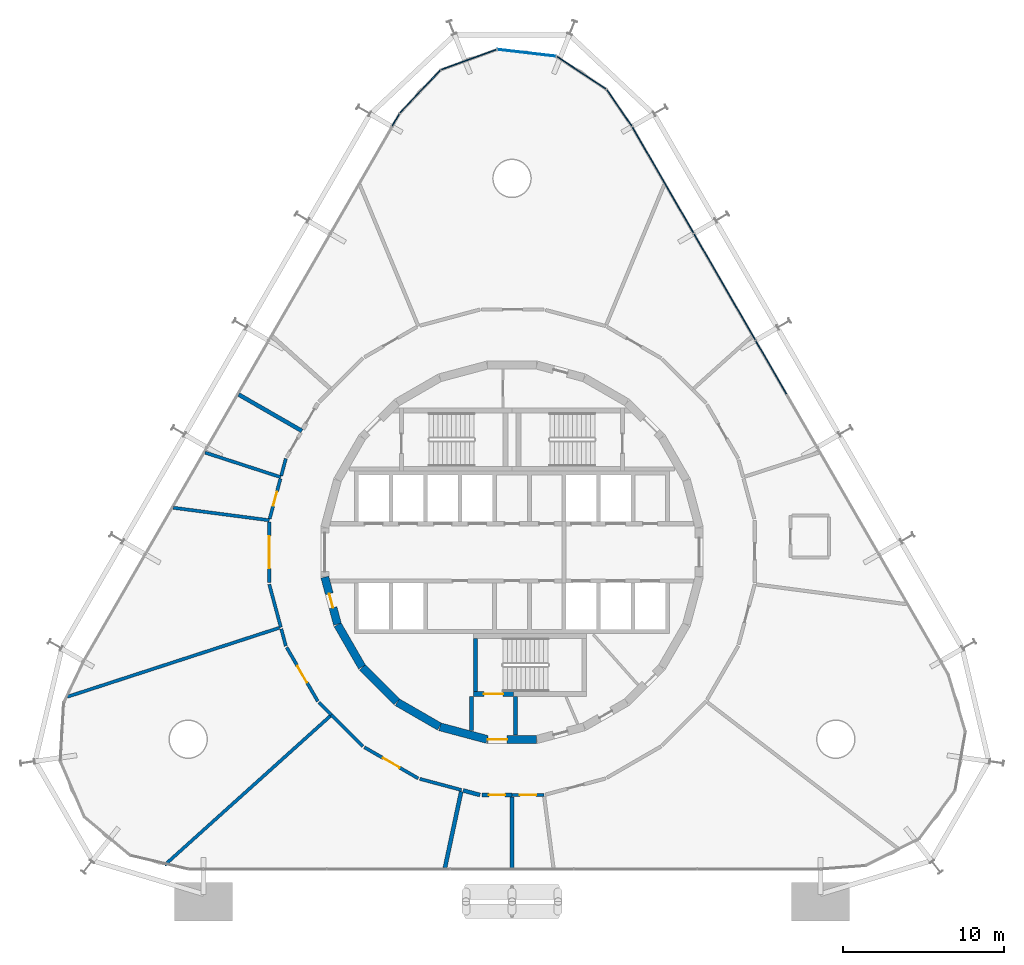
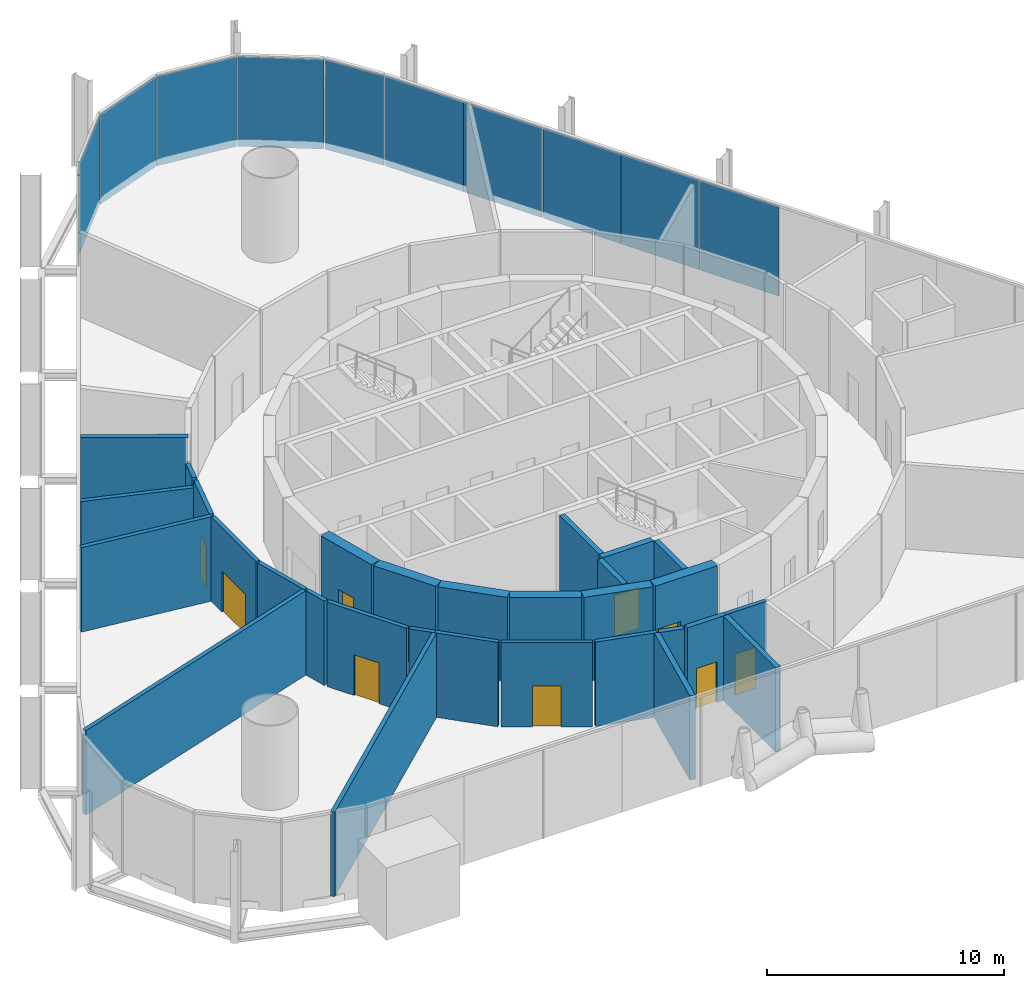
# One storey, part 13 of 17: 30 walls, 11 plates, 9 doors, 9 openings, 2 elements without a shape of their own.
"""IFC4 building model written with IfcOpenShell, lengths in metres."""

from ifc_helpers import new_model, si_unit, direction, frame, frame_2d, origin, origin_2d, place, context, subcontext, project, spatial, rectangle, extrude, material, layer, layer_set, type_object, element, fill, aggregate, save


model = new_model("IFC4")

# Units and contexts
model_context = context("Model", 3, precision=1e-05, world=origin(), true_north=direction((0.0, 1.0)))
body_context = subcontext(model_context, "Body", "Model", "MODEL_VIEW")
ifc_project = project(units=[si_unit("LENGTHUNIT", "METRE"), si_unit("AREAUNIT", "SQUARE_METRE"), si_unit("VOLUMEUNIT", "CUBIC_METRE"), si_unit("PLANEANGLEUNIT", "RADIAN"), si_unit("MASSUNIT", "GRAM", prefix="KILO")], contexts=[model_context])

# Site, building, storey
site_placement = place(None, origin())
site = spatial("IfcSite", under=ifc_project, at=site_placement, CompositionType="ELEMENT")
building_placement = place(site_placement, origin())
building = spatial("IfcBuilding", under=site, at=building_placement, Name="Spindle Arch Residences", CompositionType="ELEMENT")
storey_placement = place(building_placement, frame((0.0, 0.0, 28.199951171875)))
storey = spatial("IfcBuildingStorey", under=building, at=storey_placement, Name="L05", CompositionType="ELEMENT", Elevation=28.199951171875)

# Curtain wall, plates
ifc_material_1 = material(Name="Aluminium bronze unitised frame with tinted glass", Category="aluminium")
ifc_layer_1 = layer(ifc_material_1, 0.159912109375)
ifc_layer_set_1 = layer_set([ifc_layer_1], Name="CW-B amenity podium glazed wall")
curtain_wall_type_1 = type_object("IfcCurtainWallType", Name="CW-B amenity podium glazed wall", PredefinedType="NOTDEFINED", material=ifc_layer_set_1)
curtain_wall_1_placement = place(storey_placement, origin())
curtain_wall_1 = element("IfcCurtainWall", 1, at=curtain_wall_1_placement, inside=storey, type_object=curtain_wall_type_1, Name="CW-B L05 run 2", PredefinedType="NOTDEFINED")
ifc_material_2 = material(Name="Tinted double glazing over aluminium faced non-combustible spandrel zone (K0)", Category="aluminium")
ifc_layer_2 = layer(ifc_material_2, 0.06005859375)
ifc_layer_set_2 = layer_set([ifc_layer_2], Name="Unitised glass panel with E 60 spandrel zone")
plate_type = type_object("IfcPlateType", Name="Unitised glass panel with E 60 spandrel zone", PredefinedType="CURTAIN_PANEL", material=ifc_layer_set_2)
plate_1_placement = place(storey_placement, frame((16.11669921875, 11.504638671875, -0.3798828125), z_axis=(0.0, 0.0, 1.0), x_axis=(-0.5, 0.866025403784, 0.0)))
plate_1 = element("IfcPlate", 2, at=plate_1_placement, type_object=plate_type, Name="CW-B unit 07B", PredefinedType="CURTAIN_PANEL", context=body_context, shape_type="SweptSolid", body=[
    extrude(rectangle(XDim=3.81005859375, YDim=0.06005859375, at=origin_2d()), origin(), (0.0, 0.0, 1.0), 4.610107421875),
])
plate_2_placement = place(storey_placement, frame((14.181640625, 14.856201171875, -0.3798828125), z_axis=(0.0, 0.0, 1.0), x_axis=(-0.5, 0.866025403784, 0.0)))
plate_2 = element("IfcPlate", 3, at=plate_2_placement, type_object=plate_type, Name="CW-B unit 08A", PredefinedType="CURTAIN_PANEL", context=body_context, shape_type="SweptSolid", body=[
    extrude(rectangle(XDim=3.81005859375, YDim=0.06005859375, at=origin_2d()), origin(), (0.0, 0.0, 1.0), 4.610107421875),
])
plate_3_placement = place(storey_placement, frame((12.27685546875, 18.156005859375, -0.3798828125), z_axis=(0.0, 0.0, 1.0), x_axis=(-0.5, 0.866025403784, 0.0)))
plate_3 = element("IfcPlate", 4, at=plate_3_placement, type_object=plate_type, Name="CW-B unit 08B", PredefinedType="CURTAIN_PANEL", context=body_context, shape_type="SweptSolid", body=[
    extrude(rectangle(XDim=3.81005859375, YDim=0.06005859375, at=origin_2d()), origin(), (0.0, 0.0, 1.0), 4.610107421875),
])
plate_4_placement = place(storey_placement, frame((10.341796875, 21.50732421875, -0.3798828125), z_axis=(0.0, 0.0, 1.0), x_axis=(-0.5, 0.866025403784, 0.0)))
plate_4 = element("IfcPlate", 5, at=plate_4_placement, type_object=plate_type, Name="CW-B unit 09A", PredefinedType="CURTAIN_PANEL", context=body_context, shape_type="SweptSolid", body=[
    extrude(rectangle(XDim=3.81005859375, YDim=0.06005859375, at=origin_2d()), origin(), (0.0, 0.0, 1.0), 4.610107421875),
])
plate_5_placement = place(storey_placement, frame((8.436767578125, 24.80712890625, -0.3798828125), z_axis=(0.0, 0.0, 1.0), x_axis=(-0.5, 0.866025403784, 0.0)))
plate_5 = element("IfcPlate", 6, at=plate_5_placement, type_object=plate_type, Name="CW-B unit 09B", PredefinedType="CURTAIN_PANEL", context=body_context, shape_type="SweptSolid", body=[
    extrude(rectangle(XDim=3.81005859375, YDim=0.06005859375, at=origin_2d()), origin(), (0.0, 0.0, 1.0), 4.610107421875),
])
aggregate(curtain_wall_1, [plate_1, plate_2, plate_3, plate_4, plate_5])

ifc_material_3 = material(Name="Aluminium bronze unitised frame with tinted glass", Category="aluminium")
ifc_layer_3 = layer(ifc_material_3, 0.159912109375)
ifc_layer_set_3 = layer_set([ifc_layer_3], Name="CW-D corner wall on the fillet arcs")
curtain_wall_type_2 = type_object("IfcCurtainWallType", Name="CW-D corner wall on the fillet arcs", PredefinedType="NOTDEFINED", material=ifc_layer_set_3)
curtain_wall_2_placement = place(storey_placement, origin())
curtain_wall_2 = element("IfcCurtainWall", 7, at=curtain_wall_2_placement, inside=storey, type_object=curtain_wall_type_2, Name="CW-D L05 run 3", PredefinedType="NOTDEFINED")
plate_6_placement = place(storey_placement, frame((6.673095703125, 27.643798828125, -0.3798828125), z_axis=(0.0, 0.0, 1.0), x_axis=(-0.565500718711, 0.824747802142, 0.0)))
plate_6 = element("IfcPlate", 8, at=plate_6_placement, type_object=plate_type, Name="CW-D unit 00", PredefinedType="CURTAIN_PANEL", context=body_context, shape_type="SweptSolid", body=[
    extrude(rectangle(XDim=2.755126953125, YDim=0.06005859375, at=origin_2d()), origin(), (0.0, 0.0, 1.0), 4.610107421875),
])
plate_7_placement = place(storey_placement, frame((4.3203125, 29.82861328125, -0.3798828125), z_axis=(0.0, 0.0, 1.0), x_axis=(-0.835487811704, 0.549508977628, 0.0)))
plate_7 = element("IfcPlate", 9, at=plate_7_placement, type_object=plate_type, Name="CW-D unit 01", PredefinedType="CURTAIN_PANEL", context=body_context, shape_type="SweptSolid", body=[
    extrude(rectangle(XDim=3.666748046875, YDim=0.06005859375, at=origin_2d()), origin(), (0.0, 0.0, 1.0), 4.610107421875),
])
plate_8_placement = place(storey_placement, frame((0.912841796875, 31.06884765625, -0.3798828125), z_axis=(0.0, 0.0, 1.0), x_axis=(-0.993238357591, 0.116092915414, 0.0)))
plate_8 = element("IfcPlate", 10, at=plate_8_placement, type_object=plate_type, Name="CW-D unit 02", PredefinedType="CURTAIN_PANEL", context=body_context, shape_type="SweptSolid", body=[
    extrude(rectangle(XDim=3.666748046875, YDim=0.06005859375, at=origin_2d()), origin(), (0.0, 0.0, 1.0), 4.610107421875),
])
plate_9_placement = place(storey_placement, frame((-2.68896484375, 30.64794921875, -0.3798828125), z_axis=(0.0, 0.0, 1.0), x_axis=(-0.939692621437, -0.342020141538, 0.0)))
plate_9 = element("IfcPlate", 11, at=plate_9_placement, type_object=plate_type, Name="CW-D unit 03", PredefinedType="CURTAIN_PANEL", context=body_context, shape_type="SweptSolid", body=[
    extrude(rectangle(XDim=3.666748046875, YDim=0.06005859375, at=origin_2d()), origin(), (0.0, 0.0, 1.0), 4.610107421875),
])
plate_10_placement = place(storey_placement, frame((-5.71875, 28.6552734375, -0.3798828125), z_axis=(0.0, 0.0, 1.0), x_axis=(-0.686241639236, -0.727373640284, 0.0)))
plate_10 = element("IfcPlate", 12, at=plate_10_placement, type_object=plate_type, Name="CW-D unit 04", PredefinedType="CURTAIN_PANEL", context=body_context, shape_type="SweptSolid", body=[
    extrude(rectangle(XDim=3.666748046875, YDim=0.06005859375, at=origin_2d()), origin(), (0.0, 0.0, 1.0), 4.610107421875),
])
plate_11_placement = place(storey_placement, frame((-7.2333984375, 26.891357421875, -0.3798828125), z_axis=(0.0, 0.0, 1.0), x_axis=(-0.5, -0.866025403784, 0.0)))
plate_11 = element("IfcPlate", 13, at=plate_11_placement, type_object=plate_type, Name="CW-D unit 05", PredefinedType="CURTAIN_PANEL", context=body_context, shape_type="SweptSolid", body=[
    extrude(rectangle(XDim=0.88330078125, YDim=0.06005859375, at=origin_2d()), origin(), (0.0, 0.0, 1.0), 4.610107421875),
])
aggregate(curtain_wall_2, [plate_6, plate_7, plate_8, plate_9, plate_10, plate_11])

# Wall, opening, door
ifc_material_4 = material(Name="Concrete C50/60", Category="concrete")
ifc_layer_4 = layer(ifc_material_4, 0.5)
ifc_layer_set_4 = layer_set([ifc_layer_4], Name="Core outline wall 500")
wall_type_1 = type_object("IfcWallType", Name="Core outline wall 500", PredefinedType="SHEAR", material=ifc_layer_set_4)
wall_1_placement = place(storey_placement, frame((-11.642822265625, -1.5498046875, 0.0), z_axis=(0.0, 0.0, 1.0), x_axis=(0.258734743916, -0.965948410781, 0.0)))
wall_1 = element("IfcWall", 14, at=wall_1_placement, inside=storey, type_object=wall_type_1, Name="Core outline wall 19", PredefinedType="SHEAR", context=body_context, shape_type="SweptSolid", body=[
    extrude(rectangle(XDim=3.03271484375, YDim=0.5, at=frame_2d((1.516357421875, 0.0))), origin(), (0.0, 0.0, 1.0), 4.35009765625),
])
opening_1_placement = place(wall_1_placement, frame((1.06640625, 0.0, 0.0)))
opening_1 = element("IfcOpeningElement", 15, at=opening_1_placement, cuts=wall_1, Name="Opening L05-WD11", PredefinedType="OPENING", context=body_context, shape_type="SweptSolid", body=[
    extrude(rectangle(XDim=0.89990234375, YDim=2.10009765625, at=frame_2d((0.449951171875, 1.050048828125))), frame((0.0, 0.260009765625, 0.0), z_axis=(0.0, -1.0, 0.0), x_axis=(1.0, 0.0, 0.0)), (0.0, 0.0, 1.0), 0.52001953125),
])
ifc_material_5 = material(Name="Steel, fire-resisting door", Category="steel")
door_type_1 = type_object("IfcDoorType", Name="Service room door 900x2100", OperationType="SINGLE_SWING_LEFT", PredefinedType="DOOR", material=ifc_material_5)
door_1_placement = place(opening_1_placement, origin())
door_1 = element("IfcDoor", 16, at=door_1_placement, inside=storey, type_object=door_type_1, Name="Service room door L05-WD11", OperationType="SINGLE_SWING_RIGHT", OverallHeight=2.10009765625, OverallWidth=0.89990234375, PredefinedType="DOOR", context=body_context, shape_type="SweptSolid", body=[
    extrude(rectangle(XDim=0.89990234375, YDim=2.10009765625, at=frame_2d((0.449951171875, 1.050048828125))), frame((0.0, 0.02490234375, 0.0), z_axis=(0.0, -1.0, 0.0), x_axis=(1.0, 0.0, 0.0)), (0.0, 0.0, 1.0), 0.050048828125),
])
fill(opening_1, door_1)

# Walls
wall_2_placement = place(storey_placement, frame((-10.84521484375, -4.510498046875, 0.0), z_axis=(0.0, 0.0, 1.0), x_axis=(0.500087131594, -0.865975092491, 0.0)))
element("IfcWall", 17, at=wall_2_placement, inside=storey, type_object=wall_type_1, Name="Core outline wall 20", PredefinedType="SHEAR", context=body_context, shape_type="SweptSolid", body=[
    extrude(rectangle(XDim=3.03271484375, YDim=0.5, at=frame_2d((1.516357421875, 0.0))), origin(), (0.0, 0.0, 1.0), 4.35009765625),
])
wall_3_placement = place(storey_placement, frame((-9.30810546875, -7.163818359375, 0.0), z_axis=(0.0, 0.0, 1.0), x_axis=(0.707106781187, -0.707106781187, 0.0)))
element("IfcWall", 18, at=wall_3_placement, inside=storey, type_object=wall_type_1, Name="Core outline wall 21", PredefinedType="SHEAR", context=body_context, shape_type="SweptSolid", body=[
    extrude(rectangle(XDim=3.032470703125, YDim=0.5, at=frame_2d((1.51611328125, 0.0))), origin(), (0.0, 0.0, 1.0), 4.35009765625),
])
for number, where, z_axis, x_axis, name in (
    (19, (-7.13671875, -9.32861328125, 0.0), (0.0, 0.0, 1.0), (0.865975092491, -0.500087131594, 0.0), "Core outline wall 22"),
    (20, (-4.479248046875, -10.858154296875, 0.0), (0.0, 0.0, 1.0), (0.965948410781, -0.258734743916, 0.0), "Core outline wall 23"),
):
    element("IfcWall", number, at=place(storey_placement, frame(where, z_axis=z_axis, x_axis=x_axis)), inside=storey, type_object=wall_type_1, Name=name, PredefinedType="SHEAR", context=body_context, shape_type="SweptSolid", body=[
        extrude(rectangle(XDim=3.03271484375, YDim=0.5, at=frame_2d((1.516357421875, 0.0))), origin(), (0.0, 0.0, 1.0), 4.35009765625),
    ])

# Wall, opening, door
wall_4_placement = place(storey_placement, frame((-1.516357421875, -11.647216796875, 0.0), z_axis=(0.0, 0.0, 1.0), x_axis=(1.0, 0.0, 0.0)))
wall_4 = element("IfcWall", 21, at=wall_4_placement, inside=storey, type_object=wall_type_1, Name="Core outline wall 24", PredefinedType="SHEAR", context=body_context, shape_type="SweptSolid", body=[
    extrude(rectangle(XDim=3.03271484375, YDim=0.5, at=frame_2d((1.516357421875, 0.0))), origin(), (0.0, 0.0, 1.0), 4.35009765625),
])
opening_2_placement = place(wall_4_placement, frame((0.016357421875, 0.0, 0.0)))
opening_2 = element("IfcOpeningElement", 22, at=opening_2_placement, cuts=wall_4, Name="Opening L05-AD03", PredefinedType="OPENING", context=body_context, shape_type="SweptSolid", body=[
    extrude(rectangle(XDim=1.199951171875, YDim=2.10009765625, at=frame_2d((0.60009765625, 1.050048828125))), frame((0.0, 0.260009765625, 0.0), z_axis=(0.0, -1.0, 0.0), x_axis=(1.0, 0.0, 0.0)), (0.0, 0.0, 1.0), 0.52001953125),
])
ifc_material_6 = material(Name="Steel, fire-resisting door", Category="steel")
door_type_2 = type_object("IfcDoorType", Name="Stair airlock door 1200x2100", OperationType="SINGLE_SWING_LEFT", PredefinedType="DOOR", material=ifc_material_6)
door_2_placement = place(opening_2_placement, origin())
door_2 = element("IfcDoor", 23, at=door_2_placement, inside=storey, type_object=door_type_2, Name="Stair airlock door L05-AD03", OperationType="SINGLE_SWING_RIGHT", OverallHeight=2.10009765625, OverallWidth=1.199951171875, PredefinedType="DOOR", context=body_context, shape_type="SweptSolid", body=[
    extrude(rectangle(XDim=1.199951171875, YDim=2.10009765625, at=frame_2d((0.60009765625, 1.050048828125))), frame((0.0, 0.02490234375, 0.0), z_axis=(0.0, -1.0, 0.0), x_axis=(1.0, 0.0, 0.0)), (0.0, 0.0, 1.0), 0.050048828125),
])
fill(opening_2, door_2)

# Walls
ifc_material_7 = material(Name="Concrete C25/30 wall", Category="concrete")
ifc_layer_5 = layer(ifc_material_7, 0.25)
ifc_layer_set_5 = layer_set([ifc_layer_5], Name="Partition EI 120 250 store")
wall_type_2 = type_object("IfcWallType", Name="Partition EI 120 250 store", PredefinedType="PARTITIONING", material=ifc_layer_set_5)
wall_5_placement = place(storey_placement, frame((-13.070068359375, 7.550048828125, 0.0), z_axis=(0.0, 0.0, 1.0), x_axis=(-0.866877794005, 0.498520701938, 0.0)))
element("IfcWall", 24, at=wall_5_placement, inside=storey, type_object=wall_type_2, Name="L05-W010", PredefinedType="PARTITIONING", context=body_context, shape_type="SweptSolid", body=[
    extrude(rectangle(XDim=4.533447265625, YDim=0.25, at=frame_2d((2.2666015625, 0.0))), origin(), (0.0, 0.0, 1.0), 4.35009765625),
])
wall_6_placement = place(storey_placement, frame((-3.160888671875, -14.8876953125, 0.0), z_axis=(0.0, 0.0, 1.0), x_axis=(-0.208118919353, -0.978103530005, 0.0)))
element("IfcWall", 25, at=wall_6_placement, inside=storey, type_object=wall_type_2, Name="L05-W023", PredefinedType="PARTITIONING", context=body_context, shape_type="SweptSolid", body=[
    extrude(rectangle(XDim=4.848388671875, YDim=0.25, at=frame_2d((2.42431640625, 0.0))), origin(), (0.0, 0.0, 1.0), 4.35009765625),
])
wall_7_placement = place(storey_placement, frame((-3.04345703125, -14.81591796875, 0.0), z_axis=(0.0, 0.0, 1.0), x_axis=(0.965488181203, -0.260446869738, 0.0)))
element("IfcWall", 26, at=wall_7_placement, inside=storey, type_object=wall_type_2, Name="L05-W024", PredefinedType="PARTITIONING", context=body_context, shape_type="SweptSolid", body=[
    extrude(rectangle(XDim=1.091064453125, YDim=0.25, at=frame_2d((0.54541015625, 0.0))), origin(), (0.0, 0.0, 1.0), 4.35009765625),
])

# Wall, opening, door
wall_8_placement = place(storey_placement, frame((-1.864990234375, -15.10009765625, 0.0), z_axis=(0.0, 0.0, 1.0), x_axis=(1.0, 0.0, 0.0)))
wall_8 = element("IfcWall", 27, at=wall_8_placement, inside=storey, type_object=wall_type_2, Name="L05-W025", PredefinedType="PARTITIONING", context=body_context, shape_type="SweptSolid", body=[
    extrude(rectangle(XDim=1.864990234375, YDim=0.25, at=frame_2d((0.9326171875, 0.0))), origin(), (0.0, 0.0, 1.0), 4.35009765625),
])
opening_3_placement = place(wall_8_placement, frame((0.4326171875, 0.0, 0.0)))
opening_3 = element("IfcOpeningElement", 28, at=opening_3_placement, cuts=wall_8, Name="Opening L05-D02", PredefinedType="OPENING", context=body_context, shape_type="SweptSolid", body=[
    extrude(rectangle(XDim=1.0, YDim=2.10009765625, at=frame_2d((0.5, 1.050048828125))), frame((0.0, 0.135009765625, 0.0), z_axis=(0.0, -1.0, 0.0), x_axis=(1.0, 0.0, 0.0)), (0.0, 0.0, 1.0), 0.27001953125),
])
ifc_material_8 = material(Name="Steel door leaf, painted", Category="steel")
door_type_3 = type_object("IfcDoorType", Name="Door 1000x2100 EI 60", OperationType="SINGLE_SWING_LEFT", PredefinedType="DOOR", material=ifc_material_8)
door_3_placement = place(opening_3_placement, origin())
door_3 = element("IfcDoor", 29, at=door_3_placement, inside=storey, type_object=door_type_3, Name="L05-D02", OperationType="SINGLE_SWING_LEFT", OverallHeight=2.10009765625, OverallWidth=1.0, PredefinedType="DOOR", context=body_context, shape_type="SweptSolid", body=[
    extrude(rectangle(XDim=1.0, YDim=2.10009765625, at=frame_2d((0.5, 1.050048828125))), frame((0.0, 0.02490234375, 0.0), z_axis=(0.0, -1.0, 0.0), x_axis=(1.0, 0.0, 0.0)), (0.0, 0.0, 1.0), 0.050048828125),
])
fill(opening_3, door_3)

# Walls
wall_9_placement = place(storey_placement, frame((0.0, -15.22509765625, 0.0), z_axis=(0.0, 0.0, 1.0), x_axis=(0.0, -1.0, 0.0)))
element("IfcWall", 30, at=wall_9_placement, inside=storey, type_object=wall_type_2, Name="L05-W027", PredefinedType="PARTITIONING", context=body_context, shape_type="SweptSolid", body=[
    extrude(rectangle(XDim=4.40478515625, YDim=0.25, at=frame_2d((2.202392578125, 0.0))), origin(), (0.0, 0.0, 1.0), 4.35009765625),
])
ifc_material_9 = material(Name="Gypsum board partition on steel studs", Category="steel")
ifc_layer_6 = layer(ifc_material_9, 0.199951171875)
ifc_layer_set_6 = layer_set([ifc_layer_6], Name="Partition EI 60 200 amenity")
wall_type_3 = type_object("IfcWallType", Name="Partition EI 60 200 amenity", PredefinedType="PARTITIONING", material=ifc_layer_set_6)
wall_10_placement = place(storey_placement, frame((-15.10009765625, -1.989990234375, 0.0), z_axis=(0.0, 0.0, 1.0), x_axis=(0.259534891826, -0.96573373138, 0.0)))
element("IfcWall", 31, at=wall_10_placement, inside=storey, type_object=wall_type_3, Name="L05-W001", PredefinedType="PARTITIONING", context=body_context, shape_type="SweptSolid", body=[
    extrude(rectangle(XDim=2.77490234375, YDim=0.199951171875, at=frame_2d((1.387451171875, 0.0))), origin(), (0.0, 0.0, 1.0), 4.35009765625),
])
wall_11_placement = place(storey_placement, frame((-15.10009765625, 1.989990234375, 0.0), z_axis=(0.0, 0.0, 1.0), x_axis=(-0.991571896529, 0.129557608858, 0.0)))
element("IfcWall", 32, at=wall_11_placement, inside=storey, type_object=wall_type_3, Name="L05-W002", PredefinedType="PARTITIONING", context=body_context, shape_type="SweptSolid", body=[
    extrude(rectangle(XDim=6.020751953125, YDim=0.199951171875, at=frame_2d((3.01025390625, 0.0))), origin(), (0.0, 0.0, 1.0), 4.35009765625),
])

# Wall, opening, door
wall_12_placement = place(storey_placement, frame((-15.10009765625, 1.889892578125, 0.0), z_axis=(0.0, 0.0, 1.0), x_axis=(0.0, -1.0, 0.0)))
wall_12 = element("IfcWall", 33, at=wall_12_placement, inside=storey, type_object=wall_type_3, Name="L05-W003", PredefinedType="PARTITIONING", context=body_context, shape_type="SweptSolid", body=[
    extrude(rectangle(XDim=3.77978515625, YDim=0.199951171875, at=frame_2d((1.889892578125, 0.0))), origin(), (0.0, 0.0, 1.0), 4.35009765625),
])
opening_4_placement = place(wall_12_placement, frame((0.889892578125, 0.0, 0.0)))
opening_4 = element("IfcOpeningElement", 34, at=opening_4_placement, cuts=wall_12, Name="Opening L05-D07", PredefinedType="OPENING", context=body_context, shape_type="SweptSolid", body=[
    extrude(rectangle(XDim=2.0, YDim=2.10009765625, at=frame_2d((1.0, 1.050048828125))), frame((0.0, 0.10986328125, 0.0), z_axis=(0.0, -1.0, 0.0), x_axis=(1.0, 0.0, 0.0)), (0.0, 0.0, 1.0), 0.219970703125),
])
ifc_material_10 = material(Name="Timber door leaves, acoustic seals", Category="wood")
door_type_4 = type_object("IfcDoorType", Name="Cinema acoustic double door EI 30 2000x2100", OperationType="DOUBLE_DOOR_SINGLE_SWING", PredefinedType="DOOR", material=ifc_material_10)
door_4_placement = place(opening_4_placement, origin())
door_4 = element("IfcDoor", 35, at=door_4_placement, inside=storey, type_object=door_type_4, Name="L05-D07", OperationType="DOUBLE_DOOR_SINGLE_SWING", OverallHeight=2.10009765625, OverallWidth=2.0, PredefinedType="DOOR", context=body_context, shape_type="SweptSolid", body=[
    extrude(rectangle(XDim=2.0, YDim=2.10009765625, at=frame_2d((1.0, 1.050048828125))), frame((0.0, 0.02490234375, 0.0), z_axis=(0.0, -1.0, 0.0), x_axis=(1.0, 0.0, 0.0)), (0.0, 0.0, 1.0), 0.050048828125),
])
fill(opening_4, door_4)

# Walls
wall_13_placement = place(storey_placement, frame((-14.47509765625, -4.700927734375, 0.0), z_axis=(0.0, 0.0, 1.0), x_axis=(-0.950949275071, -0.309346854262, 0.0)))
element("IfcWall", 36, at=wall_13_placement, inside=storey, type_object=wall_type_3, Name="L05-W004", PredefinedType="PARTITIONING", context=body_context, shape_type="SweptSolid", body=[
    extrude(rectangle(XDim=13.864990234375, YDim=0.199951171875, at=frame_2d((6.9326171875, 0.0))), origin(), (0.0, 0.0, 1.0), 4.35009765625),
])
wall_14_placement = place(storey_placement, frame((-14.354248046875, -4.7666015625, 0.0), z_axis=(0.0, 0.0, 1.0), x_axis=(0.258159565639, -0.966102292032, 0.0)))
element("IfcWall", 37, at=wall_14_placement, inside=storey, type_object=wall_type_3, Name="L05-W005", PredefinedType="PARTITIONING", context=body_context, shape_type="SweptSolid", body=[
    extrude(rectangle(XDim=1.100830078125, YDim=0.199951171875, at=frame_2d((0.55029296875, 0.0))), origin(), (0.0, 0.0, 1.0), 4.35009765625),
])
wall_15_placement = place(storey_placement, frame((-14.3798828125, 4.669921875, 0.0), z_axis=(0.0, 0.0, 1.0), x_axis=(-0.951080790776, 0.308942275219, 0.0)))
element("IfcWall", 38, at=wall_15_placement, inside=storey, type_object=wall_type_3, Name="L05-W006", PredefinedType="PARTITIONING", context=body_context, shape_type="SweptSolid", body=[
    extrude(rectangle(XDim=4.952392578125, YDim=0.199951171875, at=frame_2d((2.47607421875, 0.0))), origin(), (0.0, 0.0, 1.0), 3.9599609375),
])

# Wall, opening, door
wall_16_placement = place(storey_placement, frame((-14.406005859375, 4.573486328125, 0.0), z_axis=(0.0, 0.0, 1.0), x_axis=(-0.259408996071, -0.965767556277, 0.0)))
wall_16 = element("IfcWall", 39, at=wall_16_placement, inside=storey, type_object=wall_type_3, Name="L05-W007", PredefinedType="PARTITIONING", context=body_context, shape_type="SweptSolid", body=[
    extrude(rectangle(XDim=2.574951171875, YDim=0.199951171875, at=frame_2d((1.28759765625, 0.0))), origin(), (0.0, 0.0, 1.0), 4.35009765625),
])
opening_5_placement = place(wall_16_placement, frame((0.83740234375, 0.0, 0.0)))
opening_5 = element("IfcOpeningElement", 40, at=opening_5_placement, cuts=wall_16, Name="Opening L05-D10", PredefinedType="OPENING", context=body_context, shape_type="SweptSolid", body=[
    extrude(rectangle(XDim=0.89990234375, YDim=2.10009765625, at=frame_2d((0.449951171875, 1.050048828125))), frame((0.0, 0.10986328125, 0.0), z_axis=(0.0, -1.0, 0.0), x_axis=(1.0, 0.0, 0.0)), (0.0, 0.0, 1.0), 0.219970703125),
])
ifc_material_11 = material(Name="Timber door leaf", Category="wood")
door_type_5 = type_object("IfcDoorType", Name="Door 900x2100 EI 30", OperationType="SINGLE_SWING_LEFT", PredefinedType="DOOR", material=ifc_material_11)
door_5_placement = place(opening_5_placement, origin())
door_5 = element("IfcDoor", 41, at=door_5_placement, inside=storey, type_object=door_type_5, Name="L05-D10", OperationType="SINGLE_SWING_LEFT", OverallHeight=2.10009765625, OverallWidth=0.89990234375, PredefinedType="DOOR", context=body_context, shape_type="SweptSolid", body=[
    extrude(rectangle(XDim=0.89990234375, YDim=2.10009765625, at=frame_2d((0.449951171875, 1.050048828125))), frame((0.0, 0.02490234375, 0.0), z_axis=(0.0, -1.0, 0.0), x_axis=(1.0, 0.0, 0.0)), (0.0, 0.0, 1.0), 0.050048828125),
])
fill(opening_5, door_5)

wall_17_placement = place(storey_placement, frame((-14.02001953125, -5.91650390625, 0.0), z_axis=(0.0, 0.0, 1.0), x_axis=(0.500733182901, -0.865601686425, 0.0)))
wall_17 = element("IfcWall", 42, at=wall_17_placement, inside=storey, type_object=wall_type_3, Name="L05-W008", PredefinedType="PARTITIONING", context=body_context, shape_type="SweptSolid", body=[
    extrude(rectangle(XDim=3.874267578125, YDim=0.199951171875, at=frame_2d((1.93701171875, 0.0))), origin(), (0.0, 0.0, 1.0), 4.35009765625),
])
opening_6_placement = place(wall_17_placement, frame((1.337158203125, 0.0, 0.0)))
opening_6 = element("IfcOpeningElement", 43, at=opening_6_placement, cuts=wall_17, Name="Opening L05-D05", PredefinedType="OPENING", context=body_context, shape_type="SweptSolid", body=[
    extrude(rectangle(XDim=1.199951171875, YDim=2.10009765625, at=frame_2d((0.60009765625, 1.050048828125))), frame((0.0, 0.10986328125, 0.0), z_axis=(0.0, -1.0, 0.0), x_axis=(1.0, 0.0, 0.0)), (0.0, 0.0, 1.0), 0.219970703125),
])
ifc_material_12 = material(Name="Timber door leaf", Category="wood")
door_type_6 = type_object("IfcDoorType", Name="Door 1200x2100 EI 30", OperationType="SINGLE_SWING_LEFT", PredefinedType="DOOR", material=ifc_material_12)
door_6_placement = place(opening_6_placement, origin())
door_6 = element("IfcDoor", 44, at=door_6_placement, inside=storey, type_object=door_type_6, Name="L05-D05", OperationType="SINGLE_SWING_LEFT", OverallHeight=2.10009765625, OverallWidth=1.199951171875, PredefinedType="DOOR", context=body_context, shape_type="SweptSolid", body=[
    extrude(rectangle(XDim=1.199951171875, YDim=2.10009765625, at=frame_2d((0.60009765625, 1.050048828125))), frame((0.0, 0.02490234375, 0.0), z_axis=(0.0, -1.0, 0.0), x_axis=(1.0, 0.0, 0.0)), (0.0, 0.0, 1.0), 0.050048828125),
])
fill(opening_6, door_6)

# Walls
wall_18_placement = place(storey_placement, frame((-14.070068359375, 5.830078125, 0.0), z_axis=(0.0, 0.0, 1.0), x_axis=(-0.258159565639, -0.966102292032, 0.0)))
element("IfcWall", 45, at=wall_18_placement, inside=storey, type_object=wall_type_3, Name="L05-W009", PredefinedType="PARTITIONING", context=body_context, shape_type="SweptSolid", body=[
    extrude(rectangle(XDim=1.100830078125, YDim=0.199951171875, at=frame_2d((0.55029296875, 0.0))), origin(), (0.0, 0.0, 1.0), 4.35009765625),
])
wall_19_placement = place(storey_placement, frame((-12.00927734375, -9.3408203125, 0.0), z_axis=(0.0, 0.0, 1.0), x_axis=(0.707106781187, -0.707106781187, 0.0)))
element("IfcWall", 46, at=wall_19_placement, inside=storey, type_object=wall_type_3, Name="L05-W012", PredefinedType="PARTITIONING", context=body_context, shape_type="SweptSolid", body=[
    extrude(rectangle(XDim=1.10205078125, YDim=0.199951171875, at=frame_2d((0.551025390625, 0.0))), origin(), (0.0, 0.0, 1.0), 4.35009765625),
])
wall_20_placement = place(storey_placement, frame((-11.304443359375, -10.186767578125, 0.0), z_axis=(0.0, 0.0, 1.0), x_axis=(-0.743362442769, -0.668888838807, 0.0)))
element("IfcWall", 47, at=wall_20_placement, inside=storey, type_object=wall_type_3, Name="L05-W014", PredefinedType="PARTITIONING", context=body_context, shape_type="SweptSolid", body=[
    extrude(rectangle(XDim=13.863525390625, YDim=0.199951171875, at=frame_2d((6.931640625, 0.0))), origin(), (0.0, 0.0, 1.0), 4.35009765625),
])
wall_21_placement = place(storey_placement, frame((-11.22998046875, -10.1201171875, 0.0), z_axis=(0.0, 0.0, 1.0), x_axis=(0.707106781187, -0.707106781187, 0.0)))
element("IfcWall", 48, at=wall_21_placement, inside=storey, type_object=wall_type_3, Name="L05-W015", PredefinedType="PARTITIONING", context=body_context, shape_type="SweptSolid", body=[
    extrude(rectangle(XDim=2.771728515625, YDim=0.199951171875, at=frame_2d((1.3857421875, 0.0))), origin(), (0.0, 0.0, 1.0), 4.35009765625),
])

# Wall, opening, door
wall_22_placement = place(storey_placement, frame((-9.183349609375, -12.130126953125, 0.0), z_axis=(0.0, 0.0, 1.0), x_axis=(0.865585884642, -0.500760497952, 0.0)))
wall_22 = element("IfcWall", 49, at=wall_22_placement, inside=storey, type_object=wall_type_3, Name="L05-W018", PredefinedType="PARTITIONING", context=body_context, shape_type="SweptSolid", body=[
    extrude(rectangle(XDim=3.8740234375, YDim=0.199951171875, at=frame_2d((1.93701171875, 0.0))), origin(), (0.0, 0.0, 1.0), 4.35009765625),
])
opening_7_placement = place(wall_22_placement, frame((1.337158203125, 0.0, 0.0)))
opening_7 = element("IfcOpeningElement", 50, at=opening_7_placement, cuts=wall_22, Name="Opening L05-D03", PredefinedType="OPENING", context=body_context, shape_type="SweptSolid", body=[
    extrude(rectangle(XDim=1.199951171875, YDim=2.10009765625, at=frame_2d((0.60009765625, 1.050048828125))), frame((0.0, 0.10986328125, 0.0), z_axis=(0.0, -1.0, 0.0), x_axis=(1.0, 0.0, 0.0)), (0.0, 0.0, 1.0), 0.219970703125),
])
door_7_placement = place(opening_7_placement, origin())
door_7 = element("IfcDoor", 51, at=door_7_placement, inside=storey, type_object=door_type_6, Name="L05-D03", OperationType="SINGLE_SWING_LEFT", OverallHeight=2.10009765625, OverallWidth=1.199951171875, PredefinedType="DOOR", context=body_context, shape_type="SweptSolid", body=[
    extrude(rectangle(XDim=1.199951171875, YDim=2.10009765625, at=frame_2d((0.60009765625, 1.050048828125))), frame((0.0, 0.02490234375, 0.0), z_axis=(0.0, -1.0, 0.0), x_axis=(1.0, 0.0, 0.0)), (0.0, 0.0, 1.0), 0.050048828125),
])
fill(opening_7, door_7)

# Wall
wall_23_placement = place(storey_placement, frame((-5.7333984375, -14.095947265625, 0.0), z_axis=(0.0, 0.0, 1.0), x_axis=(0.966003629213, -0.25852850587, 0.0)))
element("IfcWall", 52, at=wall_23_placement, inside=storey, type_object=wall_type_3, Name="L05-W020", PredefinedType="PARTITIONING", context=body_context, shape_type="SweptSolid", body=[
    extrude(rectangle(XDim=2.684814453125, YDim=0.199951171875, at=frame_2d((1.34228515625, 0.0))), origin(), (0.0, 0.0, 1.0), 4.35009765625),
])

# Wall, opening, door
wall_24_placement = place(storey_placement, frame((0.0, -15.10009765625, 0.0), z_axis=(0.0, 0.0, 1.0), x_axis=(1.0, 0.0, 0.0)))
wall_24 = element("IfcWall", 53, at=wall_24_placement, inside=storey, type_object=wall_type_3, Name="L05-W028", PredefinedType="PARTITIONING", context=body_context, shape_type="SweptSolid", body=[
    extrude(rectangle(XDim=1.989990234375, YDim=0.199951171875, at=frame_2d((0.9951171875, 0.0))), origin(), (0.0, 0.0, 1.0), 4.35009765625),
])
opening_8_placement = place(wall_24_placement, frame((0.4951171875, 0.0, 0.0)))
opening_8 = element("IfcOpeningElement", 54, at=opening_8_placement, cuts=wall_24, Name="Opening L05-D01", PredefinedType="OPENING", context=body_context, shape_type="SweptSolid", body=[
    extrude(rectangle(XDim=1.0, YDim=2.10009765625, at=frame_2d((0.5, 1.050048828125))), frame((0.0, 0.10986328125, 0.0), z_axis=(0.0, -1.0, 0.0), x_axis=(1.0, 0.0, 0.0)), (0.0, 0.0, 1.0), 0.219970703125),
])
ifc_material_13 = material(Name="Timber door leaf", Category="wood")
door_type_7 = type_object("IfcDoorType", Name="Door 1000x2100 EI 30", OperationType="SINGLE_SWING_LEFT", PredefinedType="DOOR", material=ifc_material_13)
door_8_placement = place(opening_8_placement, origin())
door_8 = element("IfcDoor", 55, at=door_8_placement, inside=storey, type_object=door_type_7, Name="L05-D01", OperationType="SINGLE_SWING_LEFT", OverallHeight=2.10009765625, OverallWidth=1.0, PredefinedType="DOOR", context=body_context, shape_type="SweptSolid", body=[
    extrude(rectangle(XDim=1.0, YDim=2.10009765625, at=frame_2d((0.5, 1.050048828125))), frame((0.0, 0.02490234375, 0.0), z_axis=(0.0, -1.0, 0.0), x_axis=(1.0, 0.0, 0.0)), (0.0, 0.0, 1.0), 0.050048828125),
])
fill(opening_8, door_8)

# Walls
ifc_material_14 = material(Name="Concrete C40/50", Category="concrete")
ifc_layer_7 = layer(ifc_material_14, 0.25)
ifc_layer_set_7 = layer_set([ifc_layer_7], Name="Stair airlock wall 250")
wall_type_4 = type_object("IfcWallType", Name="Stair airlock wall 250", PredefinedType="SHEAR", material=ifc_layer_set_7)
wall_25_placement = place(storey_placement, frame((-2.52490234375, -8.969970703125, 0.0), z_axis=(0.0, 0.0, 1.0), x_axis=(0.0, -1.0, 0.0)))
element("IfcWall", 56, at=wall_25_placement, inside=storey, type_object=wall_type_4, Name="Stair ST-3 airlock wall W", PredefinedType="SHEAR", context=body_context, shape_type="SweptSolid", body=[
    extrude(rectangle(XDim=2.110107421875, YDim=0.25, at=frame_2d((1.05517578125, 0.0))), origin(), (0.0, 0.0, 1.0), 4.35009765625),
])
wall_26_placement = place(storey_placement, frame((0.22509765625, -8.969970703125, 0.0), z_axis=(0.0, 0.0, 1.0), x_axis=(0.0, -1.0, 0.0)))
element("IfcWall", 57, at=wall_26_placement, inside=storey, type_object=wall_type_4, Name="Stair ST-3 airlock wall E", PredefinedType="SHEAR", context=body_context, shape_type="SweptSolid", body=[
    extrude(rectangle(XDim=2.409912109375, YDim=0.25, at=frame_2d((1.205078125, 0.0))), origin(), (0.0, 0.0, 1.0), 4.35009765625),
])
ifc_material_15 = material(Name="Concrete C50/60", Category="concrete")
ifc_layer_8 = layer(ifc_material_15, 0.25)
ifc_layer_set_8 = layer_set([ifc_layer_8], Name="Stair enclosure wall 250")
wall_type_5 = type_object("IfcWallType", Name="Stair enclosure wall 250", PredefinedType="SHEAR", material=ifc_layer_set_8)
wall_27_placement = place(storey_placement, frame((-2.27490234375, -8.669921875, 0.0), z_axis=(0.0, 0.0, 1.0), x_axis=(0.0, 1.0, 0.0)))
element("IfcWall", 58, at=wall_27_placement, inside=storey, type_object=wall_type_5, Name="Stair ST-3 enclosure wall W", PredefinedType="SHEAR", context=body_context, shape_type="SweptSolid", body=[
    extrude(rectangle(XDim=3.31982421875, YDim=0.25, at=frame_2d((1.659912109375, 0.0))), origin(), (0.0, 0.0, 1.0), 4.35009765625),
])

# Wall, opening, door
ifc_material_16 = material(Name="Concrete C50/60", Category="concrete")
ifc_layer_9 = layer(ifc_material_16, 0.300048828125)
ifc_layer_set_9 = layer_set([ifc_layer_9], Name="Stair enclosure wall 300")
wall_type_6 = type_object("IfcWallType", Name="Stair enclosure wall 300", PredefinedType="SHEAR", material=ifc_layer_set_9)
wall_28_placement = place(storey_placement, frame((-2.39990234375, -8.820068359375, 0.0), z_axis=(0.0, 0.0, 1.0), x_axis=(1.0, 0.0, 0.0)))
wall_28 = element("IfcWall", 59, at=wall_28_placement, inside=storey, type_object=wall_type_6, Name="Stair ST-3 door wall", PredefinedType="SHEAR", context=body_context, shape_type="SweptSolid", body=[
    extrude(rectangle(XDim=2.5, YDim=0.300048828125, at=frame_2d((1.25, 0.0))), origin(), (0.0, 0.0, 1.0), 4.35009765625),
])
opening_9_placement = place(wall_28_placement, frame((0.64990234375, 0.0, 0.0)))
opening_9 = element("IfcOpeningElement", 60, at=opening_9_placement, cuts=wall_28, Name="Opening L05-SD03", PredefinedType="OPENING", context=body_context, shape_type="SweptSolid", body=[
    extrude(rectangle(XDim=1.199951171875, YDim=2.10009765625, at=frame_2d((0.60009765625, 1.050048828125))), frame((0.0, 0.16015625, 0.0), z_axis=(0.0, -1.0, 0.0), x_axis=(1.0, 0.0, 0.0)), (0.0, 0.0, 1.0), 0.320068359375),
])
ifc_material_17 = material(Name="Steel, fire-resisting door", Category="steel")
door_type_8 = type_object("IfcDoorType", Name="Stair door 1200x2100", OperationType="SINGLE_SWING_RIGHT", PredefinedType="DOOR", material=ifc_material_17)
door_9_placement = place(opening_9_placement, origin())
door_9 = element("IfcDoor", 61, at=door_9_placement, inside=storey, type_object=door_type_8, Name="Stair door L05-SD03", OperationType="SINGLE_SWING_LEFT", OverallHeight=2.10009765625, OverallWidth=1.199951171875, PredefinedType="DOOR", context=body_context, shape_type="SweptSolid", body=[
    extrude(rectangle(XDim=1.199951171875, YDim=2.10009765625, at=frame_2d((0.60009765625, 1.050048828125))), frame((0.0, 0.02490234375, 0.0), z_axis=(0.0, -1.0, 0.0), x_axis=(1.0, 0.0, 0.0)), (0.0, 0.0, 1.0), 0.050048828125),
])
fill(opening_9, door_9)

save(model, "model.ifc")
